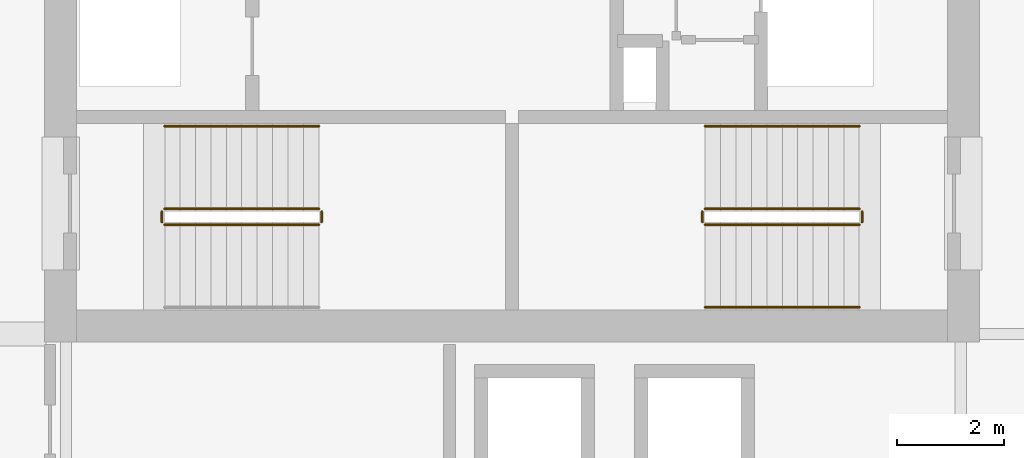
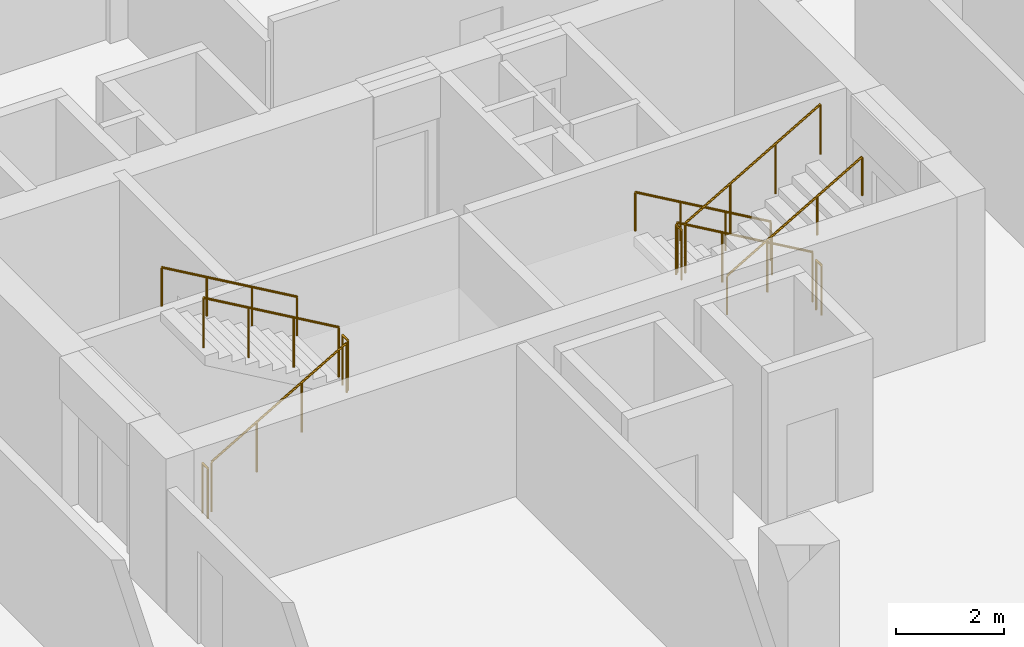
# One storey, part 13 of 15: 11 railings.
"""IFC4 building model written with IfcOpenShell, lengths in metres."""

from ifc_helpers import new_model, si_unit, direction, frame, origin, origin_2d, place, context, subcontext, project, spatial, circle, extrude, material, type_object, element, save


model = new_model("IFC4")

# Units and contexts
model_context = context("Model", 3, precision=1e-05, world=origin(), true_north=direction((0.0, 1.0)))
body_context = subcontext(model_context, "Body", "Model", "MODEL_VIEW")
ifc_project = project(units=[si_unit("LENGTHUNIT", "METRE"), si_unit("AREAUNIT", "SQUARE_METRE"), si_unit("VOLUMEUNIT", "CUBIC_METRE"), si_unit("PLANEANGLEUNIT", "RADIAN"), si_unit("MASSUNIT", "GRAM", prefix="KILO")], contexts=[model_context])

# Site, building, storey
site_placement = place(None, origin())
site = spatial("IfcSite", under=ifc_project, at=site_placement, CompositionType="ELEMENT")
building_placement = place(site_placement, origin())
building = spatial("IfcBuilding", under=site, at=building_placement, Name="Koriwani Terraces Tower", CompositionType="ELEMENT")
storey_placement = place(building_placement, frame((0.0, 0.0, 216.10009765625)))
storey = spatial("IfcBuildingStorey", under=building, at=storey_placement, Name="L53", CompositionType="ELEMENT", Elevation=216.10009765625)

# Railings
ifc_material = material(Name="Steel ASTM A572 Grade 50", Category="steel")
railing_type_1 = type_object("IfcRailingType", Name="GUARD_STAIR_WELL_1120", PredefinedType="GUARDRAIL", material=ifc_material)
railing_1_placement = place(storey_placement, frame((43.85009765625, 18.85009765625, 0.16796875)))
element("IfcRailing", 1, at=railing_1_placement, inside=storey, type_object=railing_type_1, Name="L53 ST-E1 stair guard 1", PredefinedType="GUARDRAIL", context=body_context, shape_type="SweptSolid", body=[
    extrude(circle(Radius=0.02392578125, at=origin_2d()), frame((0.0, 0.0, 1.1259765625), z_axis=(0.865038774852, 0.0, 0.501705010941), x_axis=(0.0, 1.0, 0.0)), (0.0, 0.0, 1.0), 3.352294921875),
    extrude(circle(Radius=0.02099609375, at=origin_2d()), origin(), (0.0, 0.0, 1.0), 1.101806640625),
    extrude(circle(Radius=0.02099609375, at=origin_2d()), frame((0.966552734375, 0.0, 0.560546875)), (0.0, 0.0, 1.0), 1.101806640625),
    extrude(circle(Radius=0.02099609375, at=origin_2d()), frame((1.933349609375, 0.0, 1.121337890625)), (0.0, 0.0, 1.0), 1.101806640625),
    extrude(circle(Radius=0.02099609375, at=origin_2d()), frame((2.89990234375, 0.0, 1.681884765625)), (0.0, 0.0, 1.0), 1.101806640625),
])
railing_2_placement = place(storey_placement, frame((46.800048828125, 18.89990234375, 1.849853515625)))
element("IfcRailing", 2, at=railing_2_placement, inside=storey, type_object=railing_type_1, Name="L53 ST-E1 stair guard 2", PredefinedType="GUARDRAIL", context=body_context, shape_type="SweptSolid", body=[
    extrude(circle(Radius=0.02392578125, at=origin_2d()), frame((0.0, 0.0, 1.1259765625), z_axis=(0.0, 1.0, 0.0), x_axis=(-1.0, 0.0, 0.0)), (0.0, 0.0, 1.0), 0.2001953125),
    extrude(circle(Radius=0.02099609375, at=origin_2d()), origin(), (0.0, 0.0, 1.0), 1.101806640625),
    extrude(circle(Radius=0.02099609375, at=origin_2d()), frame((0.0, 0.2001953125, 0.0)), (0.0, 0.0, 1.0), 1.101806640625),
])
railing_3_placement = place(storey_placement, frame((46.75, 19.14990234375, 2.01806640625)))
element("IfcRailing", 3, at=railing_3_placement, inside=storey, type_object=railing_type_1, Name="L53 ST-E1 stair guard 3", PredefinedType="GUARDRAIL", context=body_context, shape_type="SweptSolid", body=[
    extrude(circle(Radius=0.02392578125, at=origin_2d()), frame((0.0, 0.0, 1.1259765625), z_axis=(-0.865038774852, 0.0, 0.501705010941), x_axis=(0.0, -1.0, 0.0)), (0.0, 0.0, 1.0), 3.352294921875),
    extrude(circle(Radius=0.02099609375, at=origin_2d()), origin(), (0.0, 0.0, 1.0), 1.101806640625),
    extrude(circle(Radius=0.02099609375, at=origin_2d()), frame((-0.966552734375, 0.0, 0.560546875)), (0.0, 0.0, 1.0), 1.101806640625),
    extrude(circle(Radius=0.02099609375, at=origin_2d()), frame((-1.933349609375, 0.0, 1.121337890625)), (0.0, 0.0, 1.0), 1.101806640625),
    extrude(circle(Radius=0.02099609375, at=origin_2d()), frame((-2.89990234375, 0.0, 1.681884765625)), (0.0, 0.0, 1.0), 1.101806640625),
])
railing_4_placement = place(storey_placement, frame((43.800048828125, 18.89990234375, 0.0)))
element("IfcRailing", 4, at=railing_4_placement, inside=storey, type_object=railing_type_1, Name="L53 ST-E1 stair guard 4", PredefinedType="GUARDRAIL", context=body_context, shape_type="SweptSolid", body=[
    extrude(circle(Radius=0.02392578125, at=origin_2d()), frame((0.0, 0.0, 1.1259765625), z_axis=(0.0, 1.0, 0.0), x_axis=(-1.0, 0.0, 0.0)), (0.0, 0.0, 1.0), 0.2001953125),
    extrude(circle(Radius=0.02099609375, at=origin_2d()), origin(), (0.0, 0.0, 1.0), 1.101806640625),
    extrude(circle(Radius=0.02099609375, at=origin_2d()), frame((0.0, 0.2001953125, 0.0)), (0.0, 0.0, 1.0), 1.101806640625),
])
railing_5_placement = place(storey_placement, frame((56.89990234375, 19.14990234375, 0.16796875)))
element("IfcRailing", 5, at=railing_5_placement, inside=storey, type_object=railing_type_1, Name="L53 ST-E2 stair guard 1", PredefinedType="GUARDRAIL", context=body_context, shape_type="SweptSolid", body=[
    extrude(circle(Radius=0.02392578125, at=origin_2d()), frame((0.0, 0.0, 1.1259765625), z_axis=(-0.865038774852, 0.0, 0.501705010941), x_axis=(0.0, -1.0, 0.0)), (0.0, 0.0, 1.0), 3.352294921875),
    extrude(circle(Radius=0.02099609375, at=origin_2d()), origin(), (0.0, 0.0, 1.0), 1.101806640625),
    extrude(circle(Radius=0.02099609375, at=origin_2d()), frame((-0.966552734375, 0.0, 0.560546875)), (0.0, 0.0, 1.0), 1.101806640625),
    extrude(circle(Radius=0.02099609375, at=origin_2d()), frame((-1.933349609375, 0.0, 1.121337890625)), (0.0, 0.0, 1.0), 1.101806640625),
    extrude(circle(Radius=0.02099609375, at=origin_2d()), frame((-2.89990234375, 0.0, 1.681884765625)), (0.0, 0.0, 1.0), 1.101806640625),
])
railing_6_placement = place(storey_placement, frame((53.949951171875, 19.10009765625, 1.849853515625)))
element("IfcRailing", 6, at=railing_6_placement, inside=storey, type_object=railing_type_1, Name="L53 ST-E2 stair guard 2", PredefinedType="GUARDRAIL", context=body_context, shape_type="SweptSolid", body=[
    extrude(circle(Radius=0.02392578125, at=origin_2d()), frame((0.0, 0.0, 1.1259765625), z_axis=(0.0, -1.0, 0.0), x_axis=(1.0, 0.0, 0.0)), (0.0, 0.0, 1.0), 0.2001953125),
    extrude(circle(Radius=0.02099609375, at=origin_2d()), origin(), (0.0, 0.0, 1.0), 1.101806640625),
    extrude(circle(Radius=0.02099609375, at=origin_2d()), frame((0.0, -0.2001953125, 0.0)), (0.0, 0.0, 1.0), 1.101806640625),
])
railing_7_placement = place(storey_placement, frame((54.0, 18.85009765625, 2.01806640625)))
element("IfcRailing", 7, at=railing_7_placement, inside=storey, type_object=railing_type_1, Name="L53 ST-E2 stair guard 3", PredefinedType="GUARDRAIL", context=body_context, shape_type="SweptSolid", body=[
    extrude(circle(Radius=0.02392578125, at=origin_2d()), frame((0.0, 0.0, 1.1259765625), z_axis=(0.865038774852, 0.0, 0.501705010941), x_axis=(0.0, 1.0, 0.0)), (0.0, 0.0, 1.0), 3.352294921875),
    extrude(circle(Radius=0.02099609375, at=origin_2d()), origin(), (0.0, 0.0, 1.0), 1.101806640625),
    extrude(circle(Radius=0.02099609375, at=origin_2d()), frame((0.966552734375, 0.0, 0.560546875)), (0.0, 0.0, 1.0), 1.101806640625),
    extrude(circle(Radius=0.02099609375, at=origin_2d()), frame((1.933349609375, 0.0, 1.121337890625)), (0.0, 0.0, 1.0), 1.101806640625),
    extrude(circle(Radius=0.02099609375, at=origin_2d()), frame((2.89990234375, 0.0, 1.681884765625)), (0.0, 0.0, 1.0), 1.101806640625),
])
railing_8_placement = place(storey_placement, frame((56.949951171875, 19.10009765625, 0.0)))
element("IfcRailing", 8, at=railing_8_placement, inside=storey, type_object=railing_type_1, Name="L53 ST-E2 stair guard 4", PredefinedType="GUARDRAIL", context=body_context, shape_type="SweptSolid", body=[
    extrude(circle(Radius=0.02392578125, at=origin_2d()), frame((0.0, 0.0, 1.1259765625), z_axis=(0.0, -1.0, 0.0), x_axis=(1.0, 0.0, 0.0)), (0.0, 0.0, 1.0), 0.2001953125),
    extrude(circle(Radius=0.02099609375, at=origin_2d()), origin(), (0.0, 0.0, 1.0), 1.101806640625),
    extrude(circle(Radius=0.02099609375, at=origin_2d()), frame((0.0, -0.2001953125, 0.0)), (0.0, 0.0, 1.0), 1.101806640625),
])
railing_type_2 = type_object("IfcRailingType", Name="HANDRAIL_STAIR_920", PredefinedType="HANDRAIL", material=ifc_material)
for number, where, name in (
    (9, (46.75, 20.699951171875, 2.01806640625), "L53 ST-E1 stair handrail 2"),
    (10, (56.89990234375, 20.699951171875, 0.16796875), "L53 ST-E2 stair handrail 1"),
):
    element("IfcRailing", number, at=place(storey_placement, frame(where)), inside=storey, type_object=railing_type_2, Name=name, PredefinedType="HANDRAIL", context=body_context, shape_type="SweptSolid", body=[
        extrude(circle(Radius=0.02392578125, at=origin_2d()), frame((0.0, 0.0, 0.8759765625), z_axis=(-0.865038774852, 0.0, 0.501705010941), x_axis=(0.0, -1.0, 0.0)), (0.0, 0.0, 1.0), 3.352294921875),
        extrude(circle(Radius=0.02099609375, at=origin_2d()), origin(), (0.0, 0.0, 1.0), 0.851806640625),
        extrude(circle(Radius=0.02099609375, at=origin_2d()), frame((-0.966552734375, 0.0, 0.560546875)), (0.0, 0.0, 1.0), 0.851806640625),
        extrude(circle(Radius=0.02099609375, at=origin_2d()), frame((-1.933349609375, 0.0, 1.121337890625)), (0.0, 0.0, 1.0), 0.851806640625),
        extrude(circle(Radius=0.02099609375, at=origin_2d()), frame((-2.89990234375, 0.0, 1.681884765625)), (0.0, 0.0, 1.0), 0.851806640625),
    ])
railing_9_placement = place(storey_placement, frame((54.0, 17.300048828125, 2.01806640625)))
element("IfcRailing", 11, at=railing_9_placement, inside=storey, type_object=railing_type_2, Name="L53 ST-E2 stair handrail 2", PredefinedType="HANDRAIL", context=body_context, shape_type="SweptSolid", body=[
    extrude(circle(Radius=0.02392578125, at=origin_2d()), frame((0.0, 0.0, 0.8759765625), z_axis=(0.865038774852, 0.0, 0.501705010941), x_axis=(0.0, 1.0, 0.0)), (0.0, 0.0, 1.0), 3.352294921875),
    extrude(circle(Radius=0.02099609375, at=origin_2d()), origin(), (0.0, 0.0, 1.0), 0.851806640625),
    extrude(circle(Radius=0.02099609375, at=origin_2d()), frame((0.966552734375, 0.0, 0.560546875)), (0.0, 0.0, 1.0), 0.851806640625),
    extrude(circle(Radius=0.02099609375, at=origin_2d()), frame((1.933349609375, 0.0, 1.121337890625)), (0.0, 0.0, 1.0), 0.851806640625),
    extrude(circle(Radius=0.02099609375, at=origin_2d()), frame((2.89990234375, 0.0, 1.681884765625)), (0.0, 0.0, 1.0), 0.851806640625),
])

save(model, "model.ifc")
